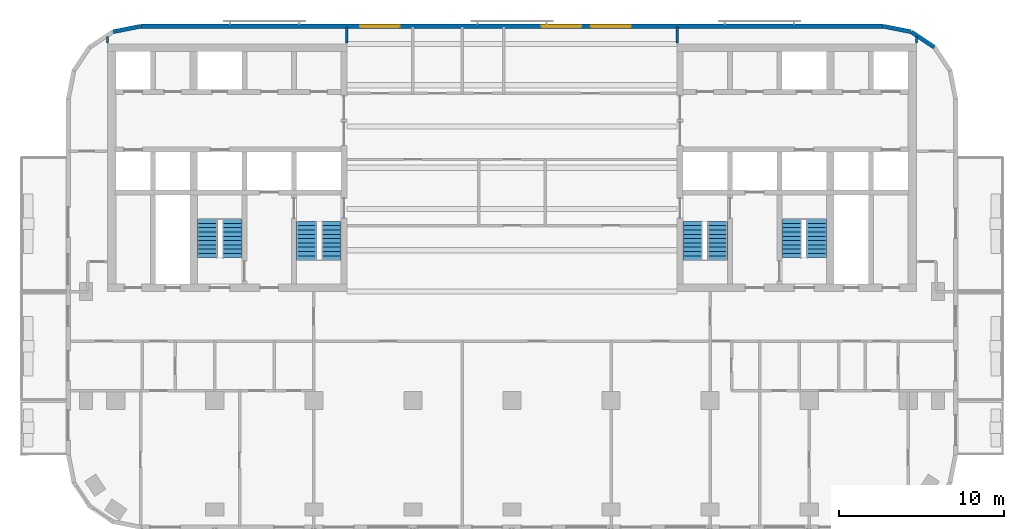
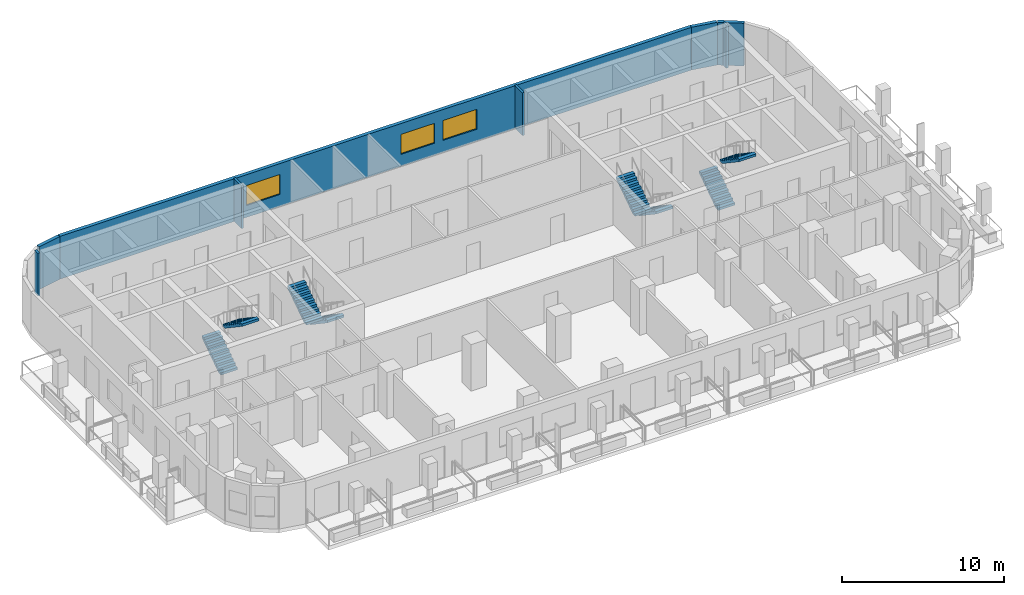
# One storey, part 7 of 11: 8 stair flights, 8 walls, 3 windows, 3 openings, 4 elements without a shape of their own.
"""IFC4 building model written with IfcOpenShell, lengths in metres."""

from ifc_helpers import new_model, si_unit, direction, frame, frame_2d, origin, place, context, subcontext, project, spatial, polyline, rectangle, outline, extrude, material, layer, layer_set, type_object, element, fill, aggregate, save


model = new_model("IFC4")

# Units and contexts
model_context = context("Model", 3, precision=1e-05, world=origin(), true_north=direction((0.0, 1.0)))
body_context = subcontext(model_context, "Body", "Model", "MODEL_VIEW")
ifc_project = project(units=[si_unit("LENGTHUNIT", "METRE"), si_unit("AREAUNIT", "SQUARE_METRE"), si_unit("VOLUMEUNIT", "CUBIC_METRE"), si_unit("PLANEANGLEUNIT", "RADIAN"), si_unit("MASSUNIT", "GRAM", prefix="KILO")], contexts=[model_context])

# Site, building, storey
site_placement = place(None, origin())
site = spatial("IfcSite", under=ifc_project, at=site_placement, CompositionType="ELEMENT")
building_placement = place(site_placement, origin())
building = spatial("IfcBuilding", under=site, at=building_placement, Name="Torana Hotel and Residences", CompositionType="ELEMENT")
storey_placement = place(building_placement, frame((0.0, 0.0, 232.60009765625)))
storey = spatial("IfcBuildingStorey", under=building, at=storey_placement, Name="L61", CompositionType="ELEMENT", Elevation=232.60009765625)

# Walls
ifc_material_1 = material(Name="Black aluminium composite panel", Category="aluminium")
ifc_layer_1 = layer(ifc_material_1, 0.00390625, Name="Cladding", Category="cladding")
ifc_material_2 = material(Name="Ventilated air cavity")
ifc_layer_2 = layer(ifc_material_2, 0.0400390625, Name="Ventilated cavity", Category="cavity")
ifc_material_3 = material(Name="Mineral wool insulation")
ifc_layer_3 = layer(ifc_material_3, 0.090087890625, Name="Insulation", Category="insulation")
ifc_material_4 = material(Name="Steel S280GD", Category="steel")
ifc_layer_4 = layer(ifc_material_4, 0.092041015625, Name="Steel stud frame", Category="structure")
ifc_material_5 = material(Name="Fire rated plasterboard")
ifc_layer_5 = layer(ifc_material_5, 0.011962890625, Name="Inner board", Category="finish")
ifc_layer_6 = layer(ifc_material_5, 0.011962890625, Name="Second board", Category="finish")
ifc_layer_set_1 = layer_set([ifc_layer_1, ifc_layer_2, ifc_layer_3, ifc_layer_4, ifc_layer_5, ifc_layer_6], Name="EW1 EXTERNAL WALL BLACK METAL CLAD 250")
wall_type_1 = type_object("IfcWallType", Name="EW1 EXTERNAL WALL BLACK METAL CLAD 250", PredefinedType="SOLIDWALL", material=ifc_layer_set_1)
wall_1_placement = place(storey_placement, frame((25.5712890625, -0.1943359375, 0.0), z_axis=(0.0, 0.0, 1.0), x_axis=(-0.831482937015, 0.55555029066, 0.0)))
element("IfcWall", 1, at=wall_1_placement, inside=storey, type_object=wall_type_1, Name="External wall L61 e0.2", PredefinedType="SOLIDWALL", context=body_context, shape_type="SweptSolid", body=[
    extrude(rectangle(XDim=1.65625, YDim=0.25, at=frame_2d((0.828125, 0.0))), origin(), (0.0, 0.0, 1.0), 3.219970703125),
])
for number, where, z_axis, x_axis, name in (
    (2, (24.14892578125, 0.74462890625, 0.0), (0.0, 0.0, 1.0), (-0.980803419081, 0.194999110559, 0.0), "External wall L61 e0.3"),
    (3, (-22.499755859375, 1.072509765625, 0.0), (0.0, 0.0, 1.0), (-0.980803419081, -0.194999110559, 0.0), "External wall L61 e0.5"),
):
    element("IfcWall", number, at=place(storey_placement, frame(where, z_axis=z_axis, x_axis=x_axis)), inside=storey, type_object=wall_type_1, Name=name, PredefinedType="SOLIDWALL", context=body_context, shape_type="SweptSolid", body=[
        extrude(rectangle(XDim=1.681396484375, YDim=0.25, at=frame_2d((0.8408203125, 0.0))), origin(), (0.0, 0.0, 1.0), 3.219970703125),
    ])

# Wall, openings, windows
ifc_material_6 = material(Name="Concrete C40/50 precast", Category="concrete")
ifc_layer_7 = layer(ifc_material_6, 0.10009765625, Name="Perforated block", Category="cladding")
ifc_material_7 = material(Name="Air cavity")
ifc_layer_8 = layer(ifc_material_7, 0.030029296875, Name="Cavity", Category="cavity")
ifc_material_8 = material(Name="Concrete C40/50", Category="concrete")
ifc_layer_9 = layer(ifc_material_8, 0.10009765625, Name="Wall", Category="structure")
ifc_material_9 = material(Name="Plaster and paint")
ifc_layer_10 = layer(ifc_material_9, 0.02001953125, Name="Inner finish", Category="finish")
ifc_layer_set_2 = layer_set([ifc_layer_7, ifc_layer_8, ifc_layer_9, ifc_layer_10], Name="EW2 PERFORATED BLOCK SCREEN WALL 250")
wall_type_2 = type_object("IfcWallType", Name="EW2 PERFORATED BLOCK SCREEN WALL 250", PredefinedType="SOLIDWALL", material=ifc_layer_set_2)
wall_2_placement = place(storey_placement, frame((22.475341796875, 1.074951171875, 0.0), z_axis=(0.0, 0.0, 1.0), x_axis=(-1.0, 0.0, 0.0)))
wall_2 = element("IfcWall", 4, at=wall_2_placement, inside=storey, type_object=wall_type_2, Name="External wall L61 e0.4", PredefinedType="SOLIDWALL", context=body_context, shape_type="SweptSolid", body=[
    extrude(rectangle(XDim=44.95068359375, YDim=0.25, at=frame_2d((22.475341796875, 0.0))), origin(), (0.0, 0.0, 1.0), 3.219970703125),
])
opening_1_placement = place(wall_2_placement, frame((15.275390625, 0.0, 0.89990234375)))
opening_1 = element("IfcOpeningElement", 5, at=opening_1_placement, cuts=wall_2, Name="Opening W3", PredefinedType="OPENING", context=body_context, shape_type="SweptSolid", body=[
    extrude(rectangle(XDim=2.39990234375, YDim=1.5, at=frame_2d((1.199951171875, 0.75))), frame((0.0, 0.135009765625, 0.0), z_axis=(0.0, -1.0, 0.0), x_axis=(1.0, 0.0, 0.0)), (0.0, 0.0, 1.0), 0.27001953125),
])
opening_2_placement = place(wall_2_placement, frame((18.275390625, 0.0, 0.89990234375)))
opening_2 = element("IfcOpeningElement", 6, at=opening_2_placement, cuts=wall_2, Name="Opening W3", PredefinedType="OPENING", context=body_context, shape_type="SweptSolid", body=[
    extrude(rectangle(XDim=2.39990234375, YDim=1.5, at=frame_2d((1.199951171875, 0.75))), frame((0.0, 0.135009765625, 0.0), z_axis=(0.0, -1.0, 0.0), x_axis=(1.0, 0.0, 0.0)), (0.0, 0.0, 1.0), 0.27001953125),
])
opening_3_placement = place(wall_2_placement, frame((29.275390625, 0.0, 0.89990234375)))
opening_3 = element("IfcOpeningElement", 7, at=opening_3_placement, cuts=wall_2, Name="Opening W3", PredefinedType="OPENING", context=body_context, shape_type="SweptSolid", body=[
    extrude(rectangle(XDim=2.39990234375, YDim=1.5, at=frame_2d((1.199951171875, 0.75))), frame((0.0, 0.135009765625, 0.0), z_axis=(0.0, -1.0, 0.0), x_axis=(1.0, 0.0, 0.0)), (0.0, 0.0, 1.0), 0.27001953125),
])
ifc_material_10 = material(Name="Dark glass in black aluminium frame", Category="aluminium")
window_type = type_object("IfcWindowType", Name="W3 RESIDENCE WINDOW 2400x1500", PartitioningType="SINGLE_PANEL", PredefinedType="WINDOW", material=ifc_material_10)
window_1_placement = place(opening_1_placement, origin())
window_1 = element("IfcWindow", 8, at=window_1_placement, inside=storey, type_object=window_type, Name="Window L61", OverallHeight=1.5, OverallWidth=2.39990234375, PartitioningType="SINGLE_PANEL", PredefinedType="WINDOW", context=body_context, shape_type="SweptSolid", body=[
    extrude(rectangle(XDim=2.39990234375, YDim=1.5, at=frame_2d((1.199951171875, 0.75))), frame((0.0, 0.030029296875, 0.0), z_axis=(0.0, -1.0, 0.0), x_axis=(1.0, 0.0, 0.0)), (0.0, 0.0, 1.0), 0.06005859375),
])
fill(opening_1, window_1)
window_2_placement = place(opening_2_placement, origin())
window_2 = element("IfcWindow", 9, at=window_2_placement, inside=storey, type_object=window_type, Name="Window L61", OverallHeight=1.5, OverallWidth=2.39990234375, PartitioningType="SINGLE_PANEL", PredefinedType="WINDOW", context=body_context, shape_type="SweptSolid", body=[
    extrude(rectangle(XDim=2.39990234375, YDim=1.5, at=frame_2d((1.199951171875, 0.75))), frame((0.0, 0.030029296875, 0.0), z_axis=(0.0, -1.0, 0.0), x_axis=(1.0, 0.0, 0.0)), (0.0, 0.0, 1.0), 0.06005859375),
])
fill(opening_2, window_2)
window_3_placement = place(opening_3_placement, origin())
window_3 = element("IfcWindow", 10, at=window_3_placement, inside=storey, type_object=window_type, Name="Window L61", OverallHeight=1.5, OverallWidth=2.39990234375, PartitioningType="SINGLE_PANEL", PredefinedType="WINDOW", context=body_context, shape_type="SweptSolid", body=[
    extrude(rectangle(XDim=2.39990234375, YDim=1.5, at=frame_2d((1.199951171875, 0.75))), frame((0.0, 0.030029296875, 0.0), z_axis=(0.0, -1.0, 0.0), x_axis=(1.0, 0.0, 0.0)), (0.0, 0.0, 1.0), 0.06005859375),
])
fill(opening_3, window_3)

# Walls
ifc_material_11 = material(Name="Gypsum plasterboard")
ifc_layer_11 = layer(ifc_material_11, 0.012451171875, Name="Plasterboard", Category="finish")
ifc_layer_12 = layer(ifc_material_11, 0.012451171875, Name="Plasterboard", Category="finish")
ifc_layer_13 = layer(ifc_material_4, 0.10009765625, Name="Steel studs with mineral wool", Category="insulation")
ifc_layer_14 = layer(ifc_material_11, 0.012451171875, Name="Plasterboard", Category="finish")
ifc_layer_15 = layer(ifc_material_11, 0.012451171875, Name="Plasterboard", Category="finish")
ifc_layer_set_3 = layer_set([ifc_layer_11, ifc_layer_12, ifc_layer_13, ifc_layer_14, ifc_layer_15], Name="PARTITION 150 PLASTERBOARD")
wall_type_3 = type_object("IfcWallType", Name="PARTITION 150 PLASTERBOARD", PredefinedType="PARTITIONING", material=ifc_layer_set_3)
wall_3_placement = place(storey_placement, frame((24.5, 0.050048828125, 0.0), z_axis=(0.0, 0.0, 1.0), x_axis=(0.0, 1.0, 0.0)))
element("IfcWall", 11, at=wall_3_placement, inside=storey, type_object=wall_type_3, Name="Partition L61", PredefinedType="PARTITIONING", context=body_context, shape_type="SweptSolid", body=[
    extrude(rectangle(XDim=0.4052734375, YDim=0.14990234375, at=frame_2d((0.20263671875, 0.0))), origin(), (0.0, 0.0, 1.0), 3.219970703125),
])
for number, where, z_axis, x_axis, name in (
    (12, (10.0, 0.050048828125, 0.0), (0.0, 0.0, 1.0), (0.0, 1.0, 0.0), "Partition L61"),
    (13, (-10.0, 0.050048828125, 0.0), (0.0, 0.0, 1.0), (0.0, 1.0, 0.0), "Partition L61"),
):
    element("IfcWall", number, at=place(storey_placement, frame(where, z_axis=z_axis, x_axis=x_axis)), inside=storey, type_object=wall_type_3, Name=name, PredefinedType="PARTITIONING", context=body_context, shape_type="SweptSolid", body=[
        extrude(rectangle(XDim=0.969970703125, YDim=0.14990234375, at=frame_2d((0.48486328125, 0.0))), origin(), (0.0, 0.0, 1.0), 3.219970703125),
    ])
wall_4_placement = place(storey_placement, frame((-24.5, 0.050048828125, 0.0), z_axis=(0.0, 0.0, 1.0), x_axis=(0.0, 1.0, 0.0)))
element("IfcWall", 14, at=wall_4_placement, inside=storey, type_object=wall_type_3, Name="Partition L61", PredefinedType="PARTITIONING", context=body_context, shape_type="SweptSolid", body=[
    extrude(rectangle(XDim=0.4052734375, YDim=0.14990234375, at=frame_2d((0.20263671875, 0.0))), origin(), (0.0, 0.0, 1.0), 3.219970703125),
])

# Stair, stair flights
ifc_material_12 = material(Name="Concrete C40/50 precast", Category="concrete")
stair_type_1 = type_object("IfcStairType", Name="STAIR ST1 HALF TURN 1200", PredefinedType="HALF_TURN_STAIR", material=ifc_material_12)
stair_1_placement = place(storey_placement, origin())
stair_1 = element("IfcStair", 15, at=stair_1_placement, inside=storey, type_object=stair_type_1, Name="Stair ST1 L61", PredefinedType="HALF_TURN_STAIR")
ifc_material_13 = material(Name="Concrete C40/50 precast", Category="concrete")
stair_flight_type = type_object("IfcStairFlightType", Name="STAIR FLIGHT 1200 PRECAST", PredefinedType="STRAIGHT", material=ifc_material_13)
stair_flight_1_placement = place(storey_placement, frame((-10.949951171875, -10.75, 0.0), z_axis=(0.0, 0.0, 1.0), x_axis=(0.0, -1.0, 0.0)))
stair_flight_1 = element("IfcStairFlight", 16, at=stair_flight_1_placement, type_object=stair_flight_type, Name="ST1 flight 1", NumberOfRisers=10, NumberOfTreads=9, PredefinedType="STRAIGHT", RiserHeight=0.175, TreadLength=0.26, context=body_context, shape_type="SweptSolid", body=[
    extrude(outline(polyline([(0.0, 0.0), (0.0, 0.175048828125), (0.260009765625, 0.175048828125), (0.260009765625, 0.35009765625), (0.52001953125, 0.35009765625), (0.52001953125, 0.52490234375), (0.780029296875, 0.52490234375), (0.780029296875, 0.699951171875), (1.0400390625, 0.699951171875), (1.0400390625, 0.875), (1.300048828125, 0.875), (1.300048828125, 1.050048828125), (1.56005859375, 1.050048828125), (1.56005859375, 1.22509765625), (1.820068359375, 1.22509765625), (1.820068359375, 1.39990234375), (2.080078125, 1.39990234375), (2.080078125, 1.574951171875), (2.340087890625, 1.574951171875), (2.340087890625, 1.75), (2.340087890625, 1.394287109375), (0.2685546875, 0.0), (0.0, 0.0)])), frame((0.0, 0.60009765625, 0.0), z_axis=(0.0, -1.0, 0.0), x_axis=(1.0, 0.0, 0.0)), (0.0, 0.0, 1.0), 1.199951171875),
])
stair_flight_2_placement = place(storey_placement, frame((-12.449951171875, -13.090087890625, 1.75), z_axis=(0.0, 0.0, 1.0), x_axis=(0.0, 1.0, 0.0)))
stair_flight_2 = element("IfcStairFlight", 17, at=stair_flight_2_placement, type_object=stair_flight_type, Name="ST1 flight 2", NumberOfRisers=10, NumberOfTreads=9, PredefinedType="STRAIGHT", RiserHeight=0.175, TreadLength=0.26, context=body_context, shape_type="SweptSolid", body=[
    extrude(outline(polyline([(0.0, 0.0), (0.0, 0.175048828125), (0.260009765625, 0.175048828125), (0.260009765625, 0.35009765625), (0.52001953125, 0.35009765625), (0.52001953125, 0.52490234375), (0.780029296875, 0.52490234375), (0.780029296875, 0.699951171875), (1.0400390625, 0.699951171875), (1.0400390625, 0.875), (1.300048828125, 0.875), (1.300048828125, 1.050048828125), (1.56005859375, 1.050048828125), (1.56005859375, 1.22509765625), (1.820068359375, 1.22509765625), (1.820068359375, 1.39990234375), (2.080078125, 1.39990234375), (2.080078125, 1.574951171875), (2.340087890625, 1.574951171875), (2.340087890625, 1.75), (2.340087890625, 1.394287109375), (0.2685546875, 0.0), (0.0, 0.0)])), frame((0.0, 0.60009765625, 0.0), z_axis=(0.0, -1.0, 0.0), x_axis=(1.0, 0.0, 0.0)), (0.0, 0.0, 1.0), 1.199951171875),
])
aggregate(stair_1, [stair_flight_1, stair_flight_2])

ifc_material_14 = material(Name="Concrete C40/50 precast", Category="concrete")
stair_type_2 = type_object("IfcStairType", Name="STAIR ST2 HALF TURN 1200", PredefinedType="HALF_TURN_STAIR", material=ifc_material_14)
stair_2_placement = place(storey_placement, origin())
stair_2 = element("IfcStair", 18, at=stair_2_placement, inside=storey, type_object=stair_type_2, Name="Stair ST2 L61", PredefinedType="HALF_TURN_STAIR")
stair_flight_3_placement = place(storey_placement, frame((-18.449951171875, -12.949951171875, 0.0), z_axis=(0.0, 0.0, 1.0), x_axis=(0.0, 1.0, 0.0)))
stair_flight_3 = element("IfcStairFlight", 19, at=stair_flight_3_placement, type_object=stair_flight_type, Name="ST2 flight 1", NumberOfRisers=10, NumberOfTreads=9, PredefinedType="STRAIGHT", RiserHeight=0.175, TreadLength=0.26, context=body_context, shape_type="SweptSolid", body=[
    extrude(outline(polyline([(0.0, 0.0), (0.0, 0.175048828125), (0.260009765625, 0.175048828125), (0.260009765625, 0.35009765625), (0.52001953125, 0.35009765625), (0.52001953125, 0.52490234375), (0.780029296875, 0.52490234375), (0.780029296875, 0.699951171875), (1.0400390625, 0.699951171875), (1.0400390625, 0.875), (1.300048828125, 0.875), (1.300048828125, 1.050048828125), (1.56005859375, 1.050048828125), (1.56005859375, 1.22509765625), (1.820068359375, 1.22509765625), (1.820068359375, 1.39990234375), (2.080078125, 1.39990234375), (2.080078125, 1.574951171875), (2.340087890625, 1.574951171875), (2.340087890625, 1.75), (2.340087890625, 1.394287109375), (0.2685546875, 0.0), (0.0, 0.0)])), frame((0.0, 0.60009765625, 0.0), z_axis=(0.0, -1.0, 0.0), x_axis=(1.0, 0.0, 0.0)), (0.0, 0.0, 1.0), 1.199951171875),
])
stair_flight_4_placement = place(storey_placement, frame((-16.949951171875, -10.610107421875, 1.75), z_axis=(0.0, 0.0, 1.0), x_axis=(0.0, -1.0, 0.0)))
stair_flight_4 = element("IfcStairFlight", 20, at=stair_flight_4_placement, type_object=stair_flight_type, Name="ST2 flight 2", NumberOfRisers=10, NumberOfTreads=9, PredefinedType="STRAIGHT", RiserHeight=0.175, TreadLength=0.26, context=body_context, shape_type="SweptSolid", body=[
    extrude(outline(polyline([(0.0, 0.0), (0.0, 0.175048828125), (0.260009765625, 0.175048828125), (0.260009765625, 0.35009765625), (0.52001953125, 0.35009765625), (0.52001953125, 0.52490234375), (0.780029296875, 0.52490234375), (0.780029296875, 0.699951171875), (1.0400390625, 0.699951171875), (1.0400390625, 0.875), (1.300048828125, 0.875), (1.300048828125, 1.050048828125), (1.56005859375, 1.050048828125), (1.56005859375, 1.22509765625), (1.820068359375, 1.22509765625), (1.820068359375, 1.39990234375), (2.080078125, 1.39990234375), (2.080078125, 1.574951171875), (2.340087890625, 1.574951171875), (2.340087890625, 1.75), (2.340087890625, 1.394287109375), (0.2685546875, 0.0), (0.0, 0.0)])), frame((0.0, 0.60009765625, 0.0), z_axis=(0.0, -1.0, 0.0), x_axis=(1.0, 0.0, 0.0)), (0.0, 0.0, 1.0), 1.199951171875),
])
aggregate(stair_2, [stair_flight_3, stair_flight_4])

ifc_material_15 = material(Name="Concrete C40/50 precast", Category="concrete")
stair_type_3 = type_object("IfcStairType", Name="STAIR ST3 HALF TURN 1200", PredefinedType="HALF_TURN_STAIR", material=ifc_material_15)
stair_3_placement = place(storey_placement, origin())
stair_3 = element("IfcStair", 21, at=stair_3_placement, inside=storey, type_object=stair_type_3, Name="Stair ST3 L61", PredefinedType="HALF_TURN_STAIR")
stair_flight_5_placement = place(storey_placement, frame((12.449951171875, -10.75, 0.0), z_axis=(0.0, 0.0, 1.0), x_axis=(0.0, -1.0, 0.0)))
stair_flight_5 = element("IfcStairFlight", 22, at=stair_flight_5_placement, type_object=stair_flight_type, Name="ST3 flight 1", NumberOfRisers=10, NumberOfTreads=9, PredefinedType="STRAIGHT", RiserHeight=0.175, TreadLength=0.26, context=body_context, shape_type="SweptSolid", body=[
    extrude(outline(polyline([(0.0, 0.0), (0.0, 0.175048828125), (0.260009765625, 0.175048828125), (0.260009765625, 0.35009765625), (0.52001953125, 0.35009765625), (0.52001953125, 0.52490234375), (0.780029296875, 0.52490234375), (0.780029296875, 0.699951171875), (1.0400390625, 0.699951171875), (1.0400390625, 0.875), (1.300048828125, 0.875), (1.300048828125, 1.050048828125), (1.56005859375, 1.050048828125), (1.56005859375, 1.22509765625), (1.820068359375, 1.22509765625), (1.820068359375, 1.39990234375), (2.080078125, 1.39990234375), (2.080078125, 1.574951171875), (2.340087890625, 1.574951171875), (2.340087890625, 1.75), (2.340087890625, 1.394287109375), (0.2685546875, 0.0), (0.0, 0.0)])), frame((0.0, 0.60009765625, 0.0), z_axis=(0.0, -1.0, 0.0), x_axis=(1.0, 0.0, 0.0)), (0.0, 0.0, 1.0), 1.199951171875),
])
stair_flight_6_placement = place(storey_placement, frame((10.949951171875, -13.090087890625, 1.75), z_axis=(0.0, 0.0, 1.0), x_axis=(0.0, 1.0, 0.0)))
stair_flight_6 = element("IfcStairFlight", 23, at=stair_flight_6_placement, type_object=stair_flight_type, Name="ST3 flight 2", NumberOfRisers=10, NumberOfTreads=9, PredefinedType="STRAIGHT", RiserHeight=0.175, TreadLength=0.26, context=body_context, shape_type="SweptSolid", body=[
    extrude(outline(polyline([(0.0, 0.0), (0.0, 0.175048828125), (0.260009765625, 0.175048828125), (0.260009765625, 0.35009765625), (0.52001953125, 0.35009765625), (0.52001953125, 0.52490234375), (0.780029296875, 0.52490234375), (0.780029296875, 0.699951171875), (1.0400390625, 0.699951171875), (1.0400390625, 0.875), (1.300048828125, 0.875), (1.300048828125, 1.050048828125), (1.56005859375, 1.050048828125), (1.56005859375, 1.22509765625), (1.820068359375, 1.22509765625), (1.820068359375, 1.39990234375), (2.080078125, 1.39990234375), (2.080078125, 1.574951171875), (2.340087890625, 1.574951171875), (2.340087890625, 1.75), (2.340087890625, 1.394287109375), (0.2685546875, 0.0), (0.0, 0.0)])), frame((0.0, 0.60009765625, 0.0), z_axis=(0.0, -1.0, 0.0), x_axis=(1.0, 0.0, 0.0)), (0.0, 0.0, 1.0), 1.199951171875),
])
aggregate(stair_3, [stair_flight_5, stair_flight_6])

ifc_material_16 = material(Name="Concrete C40/50 precast", Category="concrete")
stair_type_4 = type_object("IfcStairType", Name="STAIR ST4 HALF TURN 1200", PredefinedType="HALF_TURN_STAIR", material=ifc_material_16)
stair_4_placement = place(storey_placement, origin())
stair_4 = element("IfcStair", 24, at=stair_4_placement, inside=storey, type_object=stair_type_4, Name="Stair ST4 L61", PredefinedType="HALF_TURN_STAIR")
stair_flight_7_placement = place(storey_placement, frame((16.949951171875, -12.949951171875, 0.0), z_axis=(0.0, 0.0, 1.0), x_axis=(0.0, 1.0, 0.0)))
stair_flight_7 = element("IfcStairFlight", 25, at=stair_flight_7_placement, type_object=stair_flight_type, Name="ST4 flight 1", NumberOfRisers=10, NumberOfTreads=9, PredefinedType="STRAIGHT", RiserHeight=0.175, TreadLength=0.26, context=body_context, shape_type="SweptSolid", body=[
    extrude(outline(polyline([(0.0, 0.0), (0.0, 0.175048828125), (0.260009765625, 0.175048828125), (0.260009765625, 0.35009765625), (0.52001953125, 0.35009765625), (0.52001953125, 0.52490234375), (0.780029296875, 0.52490234375), (0.780029296875, 0.699951171875), (1.0400390625, 0.699951171875), (1.0400390625, 0.875), (1.300048828125, 0.875), (1.300048828125, 1.050048828125), (1.56005859375, 1.050048828125), (1.56005859375, 1.22509765625), (1.820068359375, 1.22509765625), (1.820068359375, 1.39990234375), (2.080078125, 1.39990234375), (2.080078125, 1.574951171875), (2.340087890625, 1.574951171875), (2.340087890625, 1.75), (2.340087890625, 1.394287109375), (0.2685546875, 0.0), (0.0, 0.0)])), frame((0.0, 0.60009765625, 0.0), z_axis=(0.0, -1.0, 0.0), x_axis=(1.0, 0.0, 0.0)), (0.0, 0.0, 1.0), 1.199951171875),
])
stair_flight_8_placement = place(storey_placement, frame((18.449951171875, -10.610107421875, 1.75), z_axis=(0.0, 0.0, 1.0), x_axis=(0.0, -1.0, 0.0)))
stair_flight_8 = element("IfcStairFlight", 26, at=stair_flight_8_placement, type_object=stair_flight_type, Name="ST4 flight 2", NumberOfRisers=10, NumberOfTreads=9, PredefinedType="STRAIGHT", RiserHeight=0.175, TreadLength=0.26, context=body_context, shape_type="SweptSolid", body=[
    extrude(outline(polyline([(0.0, 0.0), (0.0, 0.175048828125), (0.260009765625, 0.175048828125), (0.260009765625, 0.35009765625), (0.52001953125, 0.35009765625), (0.52001953125, 0.52490234375), (0.780029296875, 0.52490234375), (0.780029296875, 0.699951171875), (1.0400390625, 0.699951171875), (1.0400390625, 0.875), (1.300048828125, 0.875), (1.300048828125, 1.050048828125), (1.56005859375, 1.050048828125), (1.56005859375, 1.22509765625), (1.820068359375, 1.22509765625), (1.820068359375, 1.39990234375), (2.080078125, 1.39990234375), (2.080078125, 1.574951171875), (2.340087890625, 1.574951171875), (2.340087890625, 1.75), (2.340087890625, 1.394287109375), (0.2685546875, 0.0), (0.0, 0.0)])), frame((0.0, 0.60009765625, 0.0), z_axis=(0.0, -1.0, 0.0), x_axis=(1.0, 0.0, 0.0)), (0.0, 0.0, 1.0), 1.199951171875),
])
aggregate(stair_4, [stair_flight_7, stair_flight_8])

save(model, "model.ifc")
